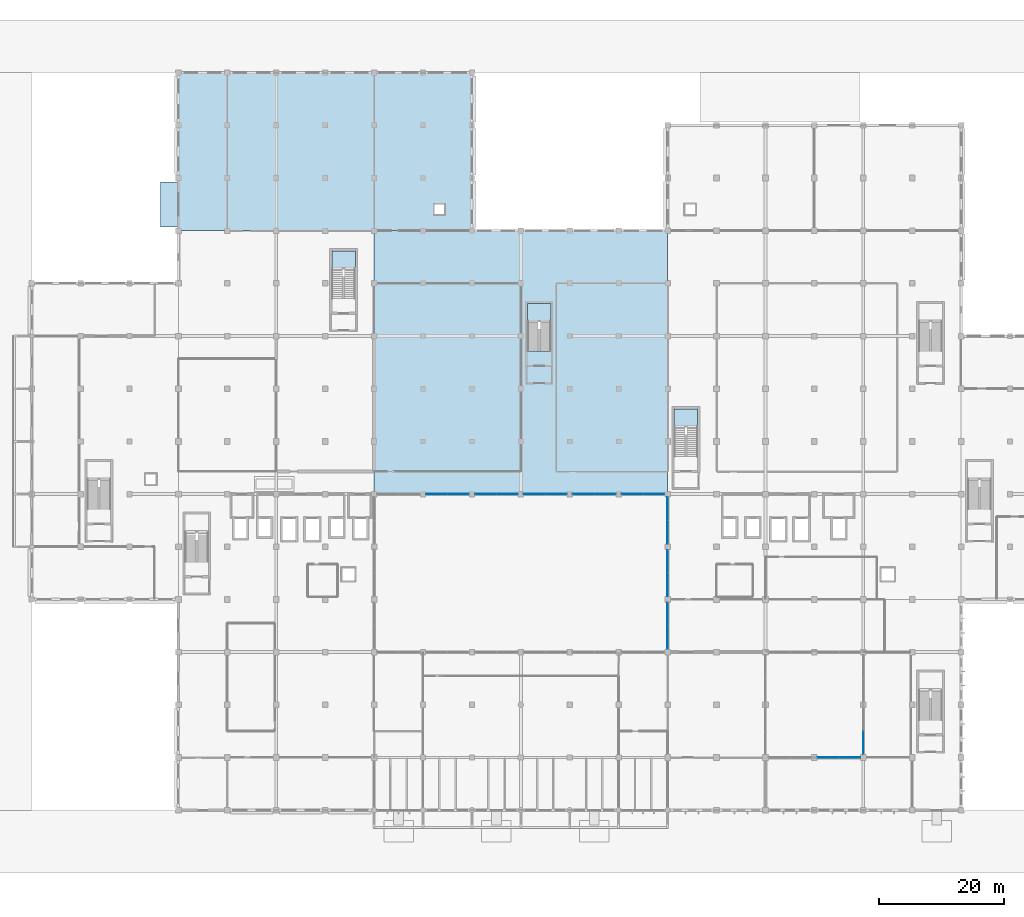
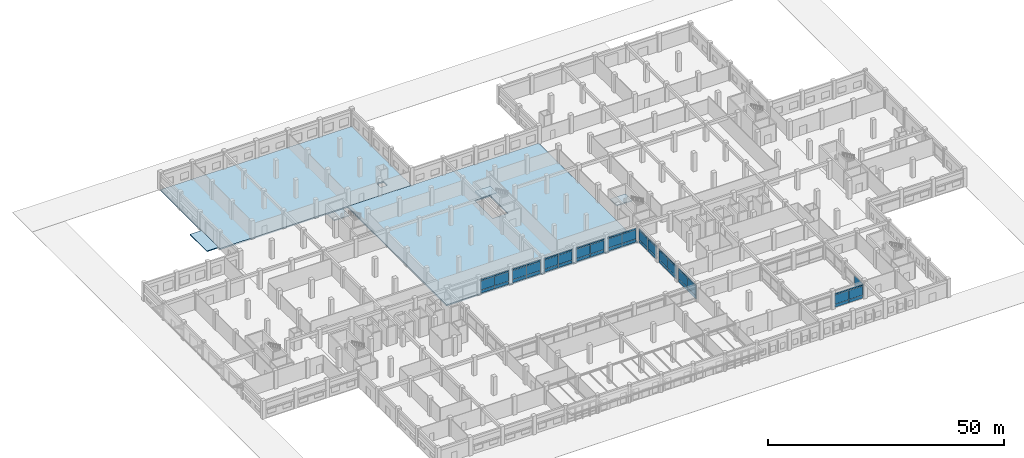
# One storey, part 42 of 74: 56 plates, 6 slabs, 13 elements without a shape of their own.
"""IFC4 building model written with IfcOpenShell, lengths in metres."""

from ifc_helpers import new_model, si_unit, direction, frame, origin, origin_2d, place, context, subcontext, project, spatial, polyline, rectangle, outline, extrude, material, layer, layer_set, type_object, element, aggregate, save


model = new_model("IFC4")

# Units and contexts
model_context = context("Model", 3, precision=1e-05, world=origin(), true_north=direction((0.0, 1.0)))
body_context = subcontext(model_context, "Body", "Model", "MODEL_VIEW")
ifc_project = project(units=[si_unit("LENGTHUNIT", "METRE"), si_unit("AREAUNIT", "SQUARE_METRE"), si_unit("VOLUMEUNIT", "CUBIC_METRE"), si_unit("PLANEANGLEUNIT", "RADIAN"), si_unit("MASSUNIT", "GRAM", prefix="KILO"), si_unit("THERMODYNAMICTEMPERATUREUNIT", "KELVIN"), si_unit("POWERUNIT", "WATT")], contexts=[model_context])

# Site, building, storey
site_placement = place(None, origin())
site = spatial("IfcSite", under=ifc_project, at=site_placement, CompositionType="ELEMENT")
building_placement = place(site_placement, origin())
building = spatial("IfcBuilding", under=site, at=building_placement, Name="Srebrne Nadtorze General Hospital", CompositionType="ELEMENT")
storey_placement = place(building_placement, origin())
storey = spatial("IfcBuildingStorey", under=building, at=storey_placement, Name="L00", CompositionType="ELEMENT", Elevation=0.0)

# Curtain wall, plates
ifc_material_1 = material(Name="Anodised Aluminium", Category="aluminium")
curtain_wall_type_1 = type_object("IfcCurtainWallType", Name="Unitised curtain wall 6900x3750", PredefinedType="NOTDEFINED", material=ifc_material_1)
curtain_wall_1_placement = place(storey_placement, origin())
curtain_wall_1 = element("IfcCurtainWall", 1, at=curtain_wall_1_placement, inside=storey, type_object=curtain_wall_type_1, Name="Curtain wall CW-004", PredefinedType="NOTDEFINED")
ifc_material_2 = material(Name="Triple Low-E Glazing", Category="glass")
ifc_layer_1 = layer(ifc_material_2, 0.050048828125)
ifc_layer_set_1 = layer_set([ifc_layer_1], Name="Triple Low-E Glazing")
plate_type = type_object("IfcPlateType", Name="Glazed curtain panel 50", PredefinedType="CURTAIN_PANEL", material=ifc_layer_set_1)
plate_1_placement = place(storey_placement, frame((126.989990234375, 8.39990234375, 0.06005859375), z_axis=(0.0, 0.0, 1.0), x_axis=(1.0, 0.0, 0.0)))
plate_1 = element("IfcPlate", 2, at=plate_1_placement, type_object=plate_type, Name="CW-004 panel 1.1", PredefinedType="CURTAIN_PANEL", context=body_context, shape_type="SweptSolid", body=[
    extrude(rectangle(XDim=3.360107421875, YDim=0.050048828125, at=origin_2d()), origin(), (0.0, 0.0, 1.0), 0.760009765625),
])
plate_2_placement = place(storey_placement, frame((126.989990234375, 8.39990234375, 0.8798828125), z_axis=(0.0, 0.0, 1.0), x_axis=(1.0, 0.0, 0.0)))
plate_2 = element("IfcPlate", 3, at=plate_2_placement, type_object=plate_type, Name="CW-004 panel 1.2", PredefinedType="CURTAIN_PANEL", context=body_context, shape_type="SweptSolid", body=[
    extrude(rectangle(XDim=3.360107421875, YDim=0.050048828125, at=origin_2d()), origin(), (0.0, 0.0, 1.0), 2.340087890625),
])
plate_3_placement = place(storey_placement, frame((126.989990234375, 8.39990234375, 3.2802734375), z_axis=(0.0, 0.0, 1.0), x_axis=(1.0, 0.0, 0.0)))
plate_3 = element("IfcPlate", 4, at=plate_3_placement, type_object=plate_type, Name="CW-004 panel 1.3", PredefinedType="CURTAIN_PANEL", context=body_context, shape_type="SweptSolid", body=[
    extrude(rectangle(XDim=3.360107421875, YDim=0.050048828125, at=origin_2d()), origin(), (0.0, 0.0, 1.0), 0.409912109375),
])
plate_4_placement = place(storey_placement, frame((130.409912109375, 8.39990234375, 0.06005859375), z_axis=(0.0, 0.0, 1.0), x_axis=(1.0, 0.0, 0.0)))
plate_4 = element("IfcPlate", 5, at=plate_4_placement, type_object=plate_type, Name="CW-004 panel 2.1", PredefinedType="CURTAIN_PANEL", context=body_context, shape_type="SweptSolid", body=[
    extrude(rectangle(XDim=3.360107421875, YDim=0.050048828125, at=origin_2d()), origin(), (0.0, 0.0, 1.0), 0.760009765625),
])
plate_5_placement = place(storey_placement, frame((130.409912109375, 8.39990234375, 0.8798828125), z_axis=(0.0, 0.0, 1.0), x_axis=(1.0, 0.0, 0.0)))
plate_5 = element("IfcPlate", 6, at=plate_5_placement, type_object=plate_type, Name="CW-004 panel 2.2", PredefinedType="CURTAIN_PANEL", context=body_context, shape_type="SweptSolid", body=[
    extrude(rectangle(XDim=3.360107421875, YDim=0.050048828125, at=origin_2d()), origin(), (0.0, 0.0, 1.0), 2.340087890625),
])
plate_6_placement = place(storey_placement, frame((130.409912109375, 8.39990234375, 3.2802734375), z_axis=(0.0, 0.0, 1.0), x_axis=(1.0, 0.0, 0.0)))
plate_6 = element("IfcPlate", 7, at=plate_6_placement, type_object=plate_type, Name="CW-004 panel 2.3", PredefinedType="CURTAIN_PANEL", context=body_context, shape_type="SweptSolid", body=[
    extrude(rectangle(XDim=3.360107421875, YDim=0.050048828125, at=origin_2d()), origin(), (0.0, 0.0, 1.0), 0.409912109375),
])
aggregate(curtain_wall_1, [plate_1, plate_2, plate_3, plate_4, plate_5, plate_6])

ifc_material_3 = material(Name="Anodised Aluminium", Category="aluminium")
curtain_wall_type_2 = type_object("IfcCurtainWallType", Name="Unitised curtain wall 6950x3750", PredefinedType="NOTDEFINED", material=ifc_material_3)
curtain_wall_2_placement = place(storey_placement, origin())
curtain_wall_2 = element("IfcCurtainWall", 8, at=curtain_wall_2_placement, inside=storey, type_object=curtain_wall_type_2, Name="Curtain wall CW-014", PredefinedType="NOTDEFINED")
plate_7_placement = place(storey_placement, frame((64.577392578125, 50.39990234375, 0.06005859375), z_axis=(0.0, 0.0, 1.0), x_axis=(1.0, 0.0, 0.0)))
plate_7 = element("IfcPlate", 9, at=plate_7_placement, type_object=plate_type, Name="CW-014 panel 1.1", PredefinedType="CURTAIN_PANEL", context=body_context, shape_type="SweptSolid", body=[
    extrude(rectangle(XDim=3.385009765625, YDim=0.050048828125, at=origin_2d()), origin(), (0.0, 0.0, 1.0), 0.760009765625),
])
plate_8_placement = place(storey_placement, frame((64.577392578125, 50.39990234375, 0.8798828125), z_axis=(0.0, 0.0, 1.0), x_axis=(1.0, 0.0, 0.0)))
plate_8 = element("IfcPlate", 10, at=plate_8_placement, type_object=plate_type, Name="CW-014 panel 1.2", PredefinedType="CURTAIN_PANEL", context=body_context, shape_type="SweptSolid", body=[
    extrude(rectangle(XDim=3.385009765625, YDim=0.050048828125, at=origin_2d()), origin(), (0.0, 0.0, 1.0), 2.340087890625),
])
plate_9_placement = place(storey_placement, frame((64.577392578125, 50.39990234375, 3.2802734375), z_axis=(0.0, 0.0, 1.0), x_axis=(1.0, 0.0, 0.0)))
plate_9 = element("IfcPlate", 11, at=plate_9_placement, type_object=plate_type, Name="CW-014 panel 1.3", PredefinedType="CURTAIN_PANEL", context=body_context, shape_type="SweptSolid", body=[
    extrude(rectangle(XDim=3.385009765625, YDim=0.050048828125, at=origin_2d()), origin(), (0.0, 0.0, 1.0), 0.409912109375),
])
plate_10_placement = place(storey_placement, frame((68.0224609375, 50.39990234375, 0.06005859375), z_axis=(0.0, 0.0, 1.0), x_axis=(1.0, 0.0, 0.0)))
plate_10 = element("IfcPlate", 12, at=plate_10_placement, type_object=plate_type, Name="CW-014 panel 2.1", PredefinedType="CURTAIN_PANEL", context=body_context, shape_type="SweptSolid", body=[
    extrude(rectangle(XDim=3.385009765625, YDim=0.050048828125, at=origin_2d()), origin(), (0.0, 0.0, 1.0), 0.760009765625),
])
plate_11_placement = place(storey_placement, frame((68.0224609375, 50.39990234375, 0.8798828125), z_axis=(0.0, 0.0, 1.0), x_axis=(1.0, 0.0, 0.0)))
plate_11 = element("IfcPlate", 13, at=plate_11_placement, type_object=plate_type, Name="CW-014 panel 2.2", PredefinedType="CURTAIN_PANEL", context=body_context, shape_type="SweptSolid", body=[
    extrude(rectangle(XDim=3.385009765625, YDim=0.050048828125, at=origin_2d()), origin(), (0.0, 0.0, 1.0), 2.340087890625),
])
plate_12_placement = place(storey_placement, frame((68.0224609375, 50.39990234375, 3.2802734375), z_axis=(0.0, 0.0, 1.0), x_axis=(1.0, 0.0, 0.0)))
plate_12 = element("IfcPlate", 14, at=plate_12_placement, type_object=plate_type, Name="CW-014 panel 2.3", PredefinedType="CURTAIN_PANEL", context=body_context, shape_type="SweptSolid", body=[
    extrude(rectangle(XDim=3.385009765625, YDim=0.050048828125, at=origin_2d()), origin(), (0.0, 0.0, 1.0), 0.409912109375),
])
aggregate(curtain_wall_2, [plate_7, plate_8, plate_9, plate_10, plate_11, plate_12])

curtain_wall_3_placement = place(storey_placement, origin())
curtain_wall_3 = element("IfcCurtainWall", 15, at=curtain_wall_3_placement, inside=storey, type_object=curtain_wall_type_2, Name="Curtain wall CW-015", PredefinedType="NOTDEFINED")
plate_13_placement = place(storey_placement, frame((72.378662109375, 50.39990234375, 0.06494140625), z_axis=(0.0, 0.0, 1.0), x_axis=(1.0, 0.0, 0.0)))
plate_13 = element("IfcPlate", 16, at=plate_13_placement, type_object=plate_type, Name="CW-015 panel 1.1", PredefinedType="CURTAIN_PANEL", context=body_context, shape_type="SweptSolid", body=[
    extrude(rectangle(XDim=3.37744140625, YDim=0.050048828125, at=origin_2d()), origin(), (0.0, 0.0, 1.0), 0.75244140625),
])
plate_14_placement = place(storey_placement, frame((72.378662109375, 50.39990234375, 0.882568359375), z_axis=(0.0, 0.0, 1.0), x_axis=(1.0, 0.0, 0.0)))
plate_14 = element("IfcPlate", 17, at=plate_14_placement, type_object=plate_type, Name="CW-015 panel 1.2", PredefinedType="CURTAIN_PANEL", context=body_context, shape_type="SweptSolid", body=[
    extrude(rectangle(XDim=3.37744140625, YDim=0.050048828125, at=origin_2d()), origin(), (0.0, 0.0, 1.0), 2.3349609375),
])
plate_15_placement = place(storey_placement, frame((72.378662109375, 50.39990234375, 3.2822265625), z_axis=(0.0, 0.0, 1.0), x_axis=(1.0, 0.0, 0.0)))
plate_15 = element("IfcPlate", 18, at=plate_15_placement, type_object=plate_type, Name="CW-015 panel 1.3", PredefinedType="CURTAIN_PANEL", context=body_context, shape_type="SweptSolid", body=[
    extrude(rectangle(XDim=3.37744140625, YDim=0.050048828125, at=origin_2d()), origin(), (0.0, 0.0, 1.0), 0.402587890625),
])
plate_16_placement = place(storey_placement, frame((75.8212890625, 50.39990234375, 0.06494140625), z_axis=(0.0, 0.0, 1.0), x_axis=(1.0, 0.0, 0.0)))
plate_16 = element("IfcPlate", 19, at=plate_16_placement, type_object=plate_type, Name="CW-015 panel 2.1", PredefinedType="CURTAIN_PANEL", context=body_context, shape_type="SweptSolid", body=[
    extrude(rectangle(XDim=3.37744140625, YDim=0.050048828125, at=origin_2d()), origin(), (0.0, 0.0, 1.0), 0.75244140625),
])
plate_17_placement = place(storey_placement, frame((75.8212890625, 50.39990234375, 0.882568359375), z_axis=(0.0, 0.0, 1.0), x_axis=(1.0, 0.0, 0.0)))
plate_17 = element("IfcPlate", 20, at=plate_17_placement, type_object=plate_type, Name="CW-015 panel 2.2", PredefinedType="CURTAIN_PANEL", context=body_context, shape_type="SweptSolid", body=[
    extrude(rectangle(XDim=3.37744140625, YDim=0.050048828125, at=origin_2d()), origin(), (0.0, 0.0, 1.0), 2.3349609375),
])
plate_18_placement = place(storey_placement, frame((75.8212890625, 50.39990234375, 3.2822265625), z_axis=(0.0, 0.0, 1.0), x_axis=(1.0, 0.0, 0.0)))
plate_18 = element("IfcPlate", 21, at=plate_18_placement, type_object=plate_type, Name="CW-015 panel 2.3", PredefinedType="CURTAIN_PANEL", context=body_context, shape_type="SweptSolid", body=[
    extrude(rectangle(XDim=3.37744140625, YDim=0.050048828125, at=origin_2d()), origin(), (0.0, 0.0, 1.0), 0.402587890625),
])
aggregate(curtain_wall_3, [plate_13, plate_14, plate_15, plate_16, plate_17, plate_18])

curtain_wall_4_placement = place(storey_placement, origin())
curtain_wall_4 = element("IfcCurtainWall", 22, at=curtain_wall_4_placement, inside=storey, type_object=curtain_wall_type_2, Name="Curtain wall CW-016", PredefinedType="NOTDEFINED")
plate_19_placement = place(storey_placement, frame((80.177490234375, 50.39990234375, 0.06005859375), z_axis=(0.0, 0.0, 1.0), x_axis=(1.0, 0.0, 0.0)))
plate_19 = element("IfcPlate", 23, at=plate_19_placement, type_object=plate_type, Name="CW-016 panel 1.1", PredefinedType="CURTAIN_PANEL", context=body_context, shape_type="SweptSolid", body=[
    extrude(rectangle(XDim=3.385009765625, YDim=0.050048828125, at=origin_2d()), origin(), (0.0, 0.0, 1.0), 0.760009765625),
])
plate_20_placement = place(storey_placement, frame((80.177490234375, 50.39990234375, 0.8798828125), z_axis=(0.0, 0.0, 1.0), x_axis=(1.0, 0.0, 0.0)))
plate_20 = element("IfcPlate", 24, at=plate_20_placement, type_object=plate_type, Name="CW-016 panel 1.2", PredefinedType="CURTAIN_PANEL", context=body_context, shape_type="SweptSolid", body=[
    extrude(rectangle(XDim=3.385009765625, YDim=0.050048828125, at=origin_2d()), origin(), (0.0, 0.0, 1.0), 2.340087890625),
])
plate_21_placement = place(storey_placement, frame((80.177490234375, 50.39990234375, 3.2802734375), z_axis=(0.0, 0.0, 1.0), x_axis=(1.0, 0.0, 0.0)))
plate_21 = element("IfcPlate", 25, at=plate_21_placement, type_object=plate_type, Name="CW-016 panel 1.3", PredefinedType="CURTAIN_PANEL", context=body_context, shape_type="SweptSolid", body=[
    extrude(rectangle(XDim=3.385009765625, YDim=0.050048828125, at=origin_2d()), origin(), (0.0, 0.0, 1.0), 0.409912109375),
])
plate_22_placement = place(storey_placement, frame((83.62255859375, 50.39990234375, 0.06005859375), z_axis=(0.0, 0.0, 1.0), x_axis=(1.0, 0.0, 0.0)))
plate_22 = element("IfcPlate", 26, at=plate_22_placement, type_object=plate_type, Name="CW-016 panel 2.1", PredefinedType="CURTAIN_PANEL", context=body_context, shape_type="SweptSolid", body=[
    extrude(rectangle(XDim=3.385009765625, YDim=0.050048828125, at=origin_2d()), origin(), (0.0, 0.0, 1.0), 0.760009765625),
])
plate_23_placement = place(storey_placement, frame((83.62255859375, 50.39990234375, 0.8798828125), z_axis=(0.0, 0.0, 1.0), x_axis=(1.0, 0.0, 0.0)))
plate_23 = element("IfcPlate", 27, at=plate_23_placement, type_object=plate_type, Name="CW-016 panel 2.2", PredefinedType="CURTAIN_PANEL", context=body_context, shape_type="SweptSolid", body=[
    extrude(rectangle(XDim=3.385009765625, YDim=0.050048828125, at=origin_2d()), origin(), (0.0, 0.0, 1.0), 2.340087890625),
])
plate_24_placement = place(storey_placement, frame((83.62255859375, 50.39990234375, 3.2802734375), z_axis=(0.0, 0.0, 1.0), x_axis=(1.0, 0.0, 0.0)))
plate_24 = element("IfcPlate", 28, at=plate_24_placement, type_object=plate_type, Name="CW-016 panel 2.3", PredefinedType="CURTAIN_PANEL", context=body_context, shape_type="SweptSolid", body=[
    extrude(rectangle(XDim=3.385009765625, YDim=0.050048828125, at=origin_2d()), origin(), (0.0, 0.0, 1.0), 0.409912109375),
])
aggregate(curtain_wall_4, [plate_19, plate_20, plate_21, plate_22, plate_23, plate_24])

curtain_wall_5_placement = place(storey_placement, origin())
curtain_wall_5 = element("IfcCurtainWall", 29, at=curtain_wall_5_placement, inside=storey, type_object=curtain_wall_type_2, Name="Curtain wall CW-017", PredefinedType="NOTDEFINED")
plate_25_placement = place(storey_placement, frame((87.978759765625, 50.39990234375, 0.06494140625), z_axis=(0.0, 0.0, 1.0), x_axis=(1.0, 0.0, 0.0)))
plate_25 = element("IfcPlate", 30, at=plate_25_placement, type_object=plate_type, Name="CW-017 panel 1.1", PredefinedType="CURTAIN_PANEL", context=body_context, shape_type="SweptSolid", body=[
    extrude(rectangle(XDim=3.37744140625, YDim=0.050048828125, at=origin_2d()), origin(), (0.0, 0.0, 1.0), 0.75244140625),
])
plate_26_placement = place(storey_placement, frame((87.978759765625, 50.39990234375, 0.882568359375), z_axis=(0.0, 0.0, 1.0), x_axis=(1.0, 0.0, 0.0)))
plate_26 = element("IfcPlate", 31, at=plate_26_placement, type_object=plate_type, Name="CW-017 panel 1.2", PredefinedType="CURTAIN_PANEL", context=body_context, shape_type="SweptSolid", body=[
    extrude(rectangle(XDim=3.37744140625, YDim=0.050048828125, at=origin_2d()), origin(), (0.0, 0.0, 1.0), 2.3349609375),
])
plate_27_placement = place(storey_placement, frame((87.978759765625, 50.39990234375, 3.2822265625), z_axis=(0.0, 0.0, 1.0), x_axis=(1.0, 0.0, 0.0)))
plate_27 = element("IfcPlate", 32, at=plate_27_placement, type_object=plate_type, Name="CW-017 panel 1.3", PredefinedType="CURTAIN_PANEL", context=body_context, shape_type="SweptSolid", body=[
    extrude(rectangle(XDim=3.37744140625, YDim=0.050048828125, at=origin_2d()), origin(), (0.0, 0.0, 1.0), 0.402587890625),
])
plate_28_placement = place(storey_placement, frame((91.421142578125, 50.39990234375, 0.06494140625), z_axis=(0.0, 0.0, 1.0), x_axis=(1.0, 0.0, 0.0)))
plate_28 = element("IfcPlate", 33, at=plate_28_placement, type_object=plate_type, Name="CW-017 panel 2.1", PredefinedType="CURTAIN_PANEL", context=body_context, shape_type="SweptSolid", body=[
    extrude(rectangle(XDim=3.37744140625, YDim=0.050048828125, at=origin_2d()), origin(), (0.0, 0.0, 1.0), 0.75244140625),
])
plate_29_placement = place(storey_placement, frame((91.421142578125, 50.39990234375, 0.882568359375), z_axis=(0.0, 0.0, 1.0), x_axis=(1.0, 0.0, 0.0)))
plate_29 = element("IfcPlate", 34, at=plate_29_placement, type_object=plate_type, Name="CW-017 panel 2.2", PredefinedType="CURTAIN_PANEL", context=body_context, shape_type="SweptSolid", body=[
    extrude(rectangle(XDim=3.37744140625, YDim=0.050048828125, at=origin_2d()), origin(), (0.0, 0.0, 1.0), 2.3349609375),
])
plate_30_placement = place(storey_placement, frame((91.421142578125, 50.39990234375, 3.2822265625), z_axis=(0.0, 0.0, 1.0), x_axis=(1.0, 0.0, 0.0)))
plate_30 = element("IfcPlate", 35, at=plate_30_placement, type_object=plate_type, Name="CW-017 panel 2.3", PredefinedType="CURTAIN_PANEL", context=body_context, shape_type="SweptSolid", body=[
    extrude(rectangle(XDim=3.37744140625, YDim=0.050048828125, at=origin_2d()), origin(), (0.0, 0.0, 1.0), 0.402587890625),
])
aggregate(curtain_wall_5, [plate_25, plate_26, plate_27, plate_28, plate_29, plate_30])

ifc_material_4 = material(Name="Anodised Aluminium", Category="aluminium")
curtain_wall_type_3 = type_object("IfcCurtainWallType", Name="Unitised curtain wall 6925x3750", PredefinedType="NOTDEFINED", material=ifc_material_4)
curtain_wall_6_placement = place(storey_placement, origin())
curtain_wall_6 = element("IfcCurtainWall", 36, at=curtain_wall_6_placement, inside=storey, type_object=curtain_wall_type_3, Name="Curtain wall CW-018", PredefinedType="NOTDEFINED")
plate_31_placement = place(storey_placement, frame((95.771240234375, 50.39990234375, 0.06005859375), z_axis=(0.0, 0.0, 1.0), x_axis=(1.0, 0.0, 0.0)))
plate_31 = element("IfcPlate", 37, at=plate_31_placement, type_object=plate_type, Name="CW-018 panel 1.1", PredefinedType="CURTAIN_PANEL", context=body_context, shape_type="SweptSolid", body=[
    extrude(rectangle(XDim=3.37255859375, YDim=0.050048828125, at=origin_2d()), origin(), (0.0, 0.0, 1.0), 0.760009765625),
])
plate_32_placement = place(storey_placement, frame((95.771240234375, 50.39990234375, 0.8798828125), z_axis=(0.0, 0.0, 1.0), x_axis=(1.0, 0.0, 0.0)))
plate_32 = element("IfcPlate", 38, at=plate_32_placement, type_object=plate_type, Name="CW-018 panel 1.2", PredefinedType="CURTAIN_PANEL", context=body_context, shape_type="SweptSolid", body=[
    extrude(rectangle(XDim=3.37255859375, YDim=0.050048828125, at=origin_2d()), origin(), (0.0, 0.0, 1.0), 2.340087890625),
])
plate_33_placement = place(storey_placement, frame((95.771240234375, 50.39990234375, 3.2802734375), z_axis=(0.0, 0.0, 1.0), x_axis=(1.0, 0.0, 0.0)))
plate_33 = element("IfcPlate", 39, at=plate_33_placement, type_object=plate_type, Name="CW-018 panel 1.3", PredefinedType="CURTAIN_PANEL", context=body_context, shape_type="SweptSolid", body=[
    extrude(rectangle(XDim=3.37255859375, YDim=0.050048828125, at=origin_2d()), origin(), (0.0, 0.0, 1.0), 0.409912109375),
])
plate_34_placement = place(storey_placement, frame((99.203857421875, 50.39990234375, 0.06005859375), z_axis=(0.0, 0.0, 1.0), x_axis=(1.0, 0.0, 0.0)))
plate_34 = element("IfcPlate", 40, at=plate_34_placement, type_object=plate_type, Name="CW-018 panel 2.1", PredefinedType="CURTAIN_PANEL", context=body_context, shape_type="SweptSolid", body=[
    extrude(rectangle(XDim=3.37255859375, YDim=0.050048828125, at=origin_2d()), origin(), (0.0, 0.0, 1.0), 0.760009765625),
])
plate_35_placement = place(storey_placement, frame((99.203857421875, 50.39990234375, 0.8798828125), z_axis=(0.0, 0.0, 1.0), x_axis=(1.0, 0.0, 0.0)))
plate_35 = element("IfcPlate", 41, at=plate_35_placement, type_object=plate_type, Name="CW-018 panel 2.2", PredefinedType="CURTAIN_PANEL", context=body_context, shape_type="SweptSolid", body=[
    extrude(rectangle(XDim=3.37255859375, YDim=0.050048828125, at=origin_2d()), origin(), (0.0, 0.0, 1.0), 2.340087890625),
])
plate_36_placement = place(storey_placement, frame((99.203857421875, 50.39990234375, 3.2802734375), z_axis=(0.0, 0.0, 1.0), x_axis=(1.0, 0.0, 0.0)))
plate_36 = element("IfcPlate", 42, at=plate_36_placement, type_object=plate_type, Name="CW-018 panel 2.3", PredefinedType="CURTAIN_PANEL", context=body_context, shape_type="SweptSolid", body=[
    extrude(rectangle(XDim=3.37255859375, YDim=0.050048828125, at=origin_2d()), origin(), (0.0, 0.0, 1.0), 0.409912109375),
])
aggregate(curtain_wall_6, [plate_31, plate_32, plate_33, plate_34, plate_35, plate_36])

ifc_material_5 = material(Name="Anodised Aluminium", Category="aluminium")
curtain_wall_type_4 = type_object("IfcCurtainWallType", Name="Unitised curtain wall 7500x3750", PredefinedType="NOTDEFINED", material=ifc_material_5)
curtain_wall_7_placement = place(storey_placement, origin())
curtain_wall_7 = element("IfcCurtainWall", 43, at=curtain_wall_7_placement, inside=storey, type_object=curtain_wall_type_4, Name="Curtain wall CW-022", PredefinedType="NOTDEFINED")
plate_37_placement = place(storey_placement, frame((101.39990234375, 27.5400390625, 0.06005859375), z_axis=(0.0, 0.0, 1.0), x_axis=(0.0, 1.0, 0.0)))
plate_37 = element("IfcPlate", 44, at=plate_37_placement, type_object=plate_type, Name="CW-022 panel 1.1", PredefinedType="CURTAIN_PANEL", context=body_context, shape_type="SweptSolid", body=[
    extrude(rectangle(XDim=3.659912109375, YDim=0.050048828125, at=origin_2d()), origin(), (0.0, 0.0, 1.0), 0.760009765625),
])
plate_38_placement = place(storey_placement, frame((101.39990234375, 27.5400390625, 0.8798828125), z_axis=(0.0, 0.0, 1.0), x_axis=(0.0, 1.0, 0.0)))
plate_38 = element("IfcPlate", 45, at=plate_38_placement, type_object=plate_type, Name="CW-022 panel 1.2", PredefinedType="CURTAIN_PANEL", context=body_context, shape_type="SweptSolid", body=[
    extrude(rectangle(XDim=3.659912109375, YDim=0.050048828125, at=origin_2d()), origin(), (0.0, 0.0, 1.0), 2.340087890625),
])
plate_39_placement = place(storey_placement, frame((101.39990234375, 27.5400390625, 3.2802734375), z_axis=(0.0, 0.0, 1.0), x_axis=(0.0, 1.0, 0.0)))
plate_39 = element("IfcPlate", 46, at=plate_39_placement, type_object=plate_type, Name="CW-022 panel 1.3", PredefinedType="CURTAIN_PANEL", context=body_context, shape_type="SweptSolid", body=[
    extrude(rectangle(XDim=3.659912109375, YDim=0.050048828125, at=origin_2d()), origin(), (0.0, 0.0, 1.0), 0.409912109375),
])
plate_40_placement = place(storey_placement, frame((101.39990234375, 31.260009765625, 0.06005859375), z_axis=(0.0, 0.0, 1.0), x_axis=(0.0, 1.0, 0.0)))
plate_40 = element("IfcPlate", 47, at=plate_40_placement, type_object=plate_type, Name="CW-022 panel 2.1", PredefinedType="CURTAIN_PANEL", context=body_context, shape_type="SweptSolid", body=[
    extrude(rectangle(XDim=3.659912109375, YDim=0.050048828125, at=origin_2d()), origin(), (0.0, 0.0, 1.0), 0.760009765625),
])
plate_41_placement = place(storey_placement, frame((101.39990234375, 31.260009765625, 0.8798828125), z_axis=(0.0, 0.0, 1.0), x_axis=(0.0, 1.0, 0.0)))
plate_41 = element("IfcPlate", 48, at=plate_41_placement, type_object=plate_type, Name="CW-022 panel 2.2", PredefinedType="CURTAIN_PANEL", context=body_context, shape_type="SweptSolid", body=[
    extrude(rectangle(XDim=3.659912109375, YDim=0.050048828125, at=origin_2d()), origin(), (0.0, 0.0, 1.0), 2.340087890625),
])
plate_42_placement = place(storey_placement, frame((101.39990234375, 31.260009765625, 3.2802734375), z_axis=(0.0, 0.0, 1.0), x_axis=(0.0, 1.0, 0.0)))
plate_42 = element("IfcPlate", 49, at=plate_42_placement, type_object=plate_type, Name="CW-022 panel 2.3", PredefinedType="CURTAIN_PANEL", context=body_context, shape_type="SweptSolid", body=[
    extrude(rectangle(XDim=3.659912109375, YDim=0.050048828125, at=origin_2d()), origin(), (0.0, 0.0, 1.0), 0.409912109375),
])
aggregate(curtain_wall_7, [plate_37, plate_38, plate_39, plate_40, plate_41, plate_42])

curtain_wall_8_placement = place(storey_placement, origin())
curtain_wall_8 = element("IfcCurtainWall", 50, at=curtain_wall_8_placement, inside=storey, type_object=curtain_wall_type_4, Name="Curtain wall CW-023", PredefinedType="NOTDEFINED")
plate_43_placement = place(storey_placement, frame((101.39990234375, 35.941162109375, 0.06494140625), z_axis=(0.0, 0.0, 1.0), x_axis=(0.0, 1.0, 0.0)))
plate_43 = element("IfcPlate", 51, at=plate_43_placement, type_object=plate_type, Name="CW-023 panel 1.1", PredefinedType="CURTAIN_PANEL", context=body_context, shape_type="SweptSolid", body=[
    extrude(rectangle(XDim=3.652587890625, YDim=0.050048828125, at=origin_2d()), origin(), (0.0, 0.0, 1.0), 0.75244140625),
])
plate_44_placement = place(storey_placement, frame((101.39990234375, 35.941162109375, 0.882568359375), z_axis=(0.0, 0.0, 1.0), x_axis=(0.0, 1.0, 0.0)))
plate_44 = element("IfcPlate", 52, at=plate_44_placement, type_object=plate_type, Name="CW-023 panel 1.2", PredefinedType="CURTAIN_PANEL", context=body_context, shape_type="SweptSolid", body=[
    extrude(rectangle(XDim=3.652587890625, YDim=0.050048828125, at=origin_2d()), origin(), (0.0, 0.0, 1.0), 2.3349609375),
])
plate_45_placement = place(storey_placement, frame((101.39990234375, 35.941162109375, 3.2822265625), z_axis=(0.0, 0.0, 1.0), x_axis=(0.0, 1.0, 0.0)))
plate_45 = element("IfcPlate", 53, at=plate_45_placement, type_object=plate_type, Name="CW-023 panel 1.3", PredefinedType="CURTAIN_PANEL", context=body_context, shape_type="SweptSolid", body=[
    extrude(rectangle(XDim=3.652587890625, YDim=0.050048828125, at=origin_2d()), origin(), (0.0, 0.0, 1.0), 0.402587890625),
])
plate_46_placement = place(storey_placement, frame((101.39990234375, 39.65869140625, 0.06494140625), z_axis=(0.0, 0.0, 1.0), x_axis=(0.0, 1.0, 0.0)))
plate_46 = element("IfcPlate", 54, at=plate_46_placement, type_object=plate_type, Name="CW-023 panel 2.1", PredefinedType="CURTAIN_PANEL", context=body_context, shape_type="SweptSolid", body=[
    extrude(rectangle(XDim=3.652587890625, YDim=0.050048828125, at=origin_2d()), origin(), (0.0, 0.0, 1.0), 0.75244140625),
])
plate_47_placement = place(storey_placement, frame((101.39990234375, 39.65869140625, 0.882568359375), z_axis=(0.0, 0.0, 1.0), x_axis=(0.0, 1.0, 0.0)))
plate_47 = element("IfcPlate", 55, at=plate_47_placement, type_object=plate_type, Name="CW-023 panel 2.2", PredefinedType="CURTAIN_PANEL", context=body_context, shape_type="SweptSolid", body=[
    extrude(rectangle(XDim=3.652587890625, YDim=0.050048828125, at=origin_2d()), origin(), (0.0, 0.0, 1.0), 2.3349609375),
])
plate_48_placement = place(storey_placement, frame((101.39990234375, 39.65869140625, 3.2822265625), z_axis=(0.0, 0.0, 1.0), x_axis=(0.0, 1.0, 0.0)))
plate_48 = element("IfcPlate", 56, at=plate_48_placement, type_object=plate_type, Name="CW-023 panel 2.3", PredefinedType="CURTAIN_PANEL", context=body_context, shape_type="SweptSolid", body=[
    extrude(rectangle(XDim=3.652587890625, YDim=0.050048828125, at=origin_2d()), origin(), (0.0, 0.0, 1.0), 0.402587890625),
])
aggregate(curtain_wall_8, [plate_43, plate_44, plate_45, plate_46, plate_47, plate_48])

curtain_wall_9_placement = place(storey_placement, origin())
curtain_wall_9 = element("IfcCurtainWall", 57, at=curtain_wall_9_placement, inside=storey, type_object=curtain_wall_type_4, Name="Curtain wall CW-024", PredefinedType="NOTDEFINED")
plate_49_placement = place(storey_placement, frame((101.39990234375, 44.340087890625, 0.06005859375), z_axis=(0.0, 0.0, 1.0), x_axis=(0.0, 1.0, 0.0)))
plate_49 = element("IfcPlate", 58, at=plate_49_placement, type_object=plate_type, Name="CW-024 panel 1.1", PredefinedType="CURTAIN_PANEL", context=body_context, shape_type="SweptSolid", body=[
    extrude(rectangle(XDim=3.659912109375, YDim=0.050048828125, at=origin_2d()), origin(), (0.0, 0.0, 1.0), 0.760009765625),
])
plate_50_placement = place(storey_placement, frame((101.39990234375, 44.340087890625, 0.8798828125), z_axis=(0.0, 0.0, 1.0), x_axis=(0.0, 1.0, 0.0)))
plate_50 = element("IfcPlate", 59, at=plate_50_placement, type_object=plate_type, Name="CW-024 panel 1.2", PredefinedType="CURTAIN_PANEL", context=body_context, shape_type="SweptSolid", body=[
    extrude(rectangle(XDim=3.659912109375, YDim=0.050048828125, at=origin_2d()), origin(), (0.0, 0.0, 1.0), 2.340087890625),
])
plate_51_placement = place(storey_placement, frame((101.39990234375, 44.340087890625, 3.2802734375), z_axis=(0.0, 0.0, 1.0), x_axis=(0.0, 1.0, 0.0)))
plate_51 = element("IfcPlate", 60, at=plate_51_placement, type_object=plate_type, Name="CW-024 panel 1.3", PredefinedType="CURTAIN_PANEL", context=body_context, shape_type="SweptSolid", body=[
    extrude(rectangle(XDim=3.659912109375, YDim=0.050048828125, at=origin_2d()), origin(), (0.0, 0.0, 1.0), 0.409912109375),
])
plate_52_placement = place(storey_placement, frame((101.39990234375, 48.06005859375, 0.06005859375), z_axis=(0.0, 0.0, 1.0), x_axis=(0.0, 1.0, 0.0)))
plate_52 = element("IfcPlate", 61, at=plate_52_placement, type_object=plate_type, Name="CW-024 panel 2.1", PredefinedType="CURTAIN_PANEL", context=body_context, shape_type="SweptSolid", body=[
    extrude(rectangle(XDim=3.659912109375, YDim=0.050048828125, at=origin_2d()), origin(), (0.0, 0.0, 1.0), 0.760009765625),
])
plate_53_placement = place(storey_placement, frame((101.39990234375, 48.06005859375, 0.8798828125), z_axis=(0.0, 0.0, 1.0), x_axis=(0.0, 1.0, 0.0)))
plate_53 = element("IfcPlate", 62, at=plate_53_placement, type_object=plate_type, Name="CW-024 panel 2.2", PredefinedType="CURTAIN_PANEL", context=body_context, shape_type="SweptSolid", body=[
    extrude(rectangle(XDim=3.659912109375, YDim=0.050048828125, at=origin_2d()), origin(), (0.0, 0.0, 1.0), 2.340087890625),
])
plate_54_placement = place(storey_placement, frame((101.39990234375, 48.06005859375, 3.2802734375), z_axis=(0.0, 0.0, 1.0), x_axis=(0.0, 1.0, 0.0)))
plate_54 = element("IfcPlate", 63, at=plate_54_placement, type_object=plate_type, Name="CW-024 panel 2.3", PredefinedType="CURTAIN_PANEL", context=body_context, shape_type="SweptSolid", body=[
    extrude(rectangle(XDim=3.659912109375, YDim=0.050048828125, at=origin_2d()), origin(), (0.0, 0.0, 1.0), 0.409912109375),
])
aggregate(curtain_wall_9, [plate_49, plate_50, plate_51, plate_52, plate_53, plate_54])

curtain_wall_10_placement = place(storey_placement, origin())
curtain_wall_10 = element("IfcCurtainWall", 64, at=curtain_wall_10_placement, inside=storey, type_object=curtain_wall_type_4, Name="Curtain wall CW-027", PredefinedType="NOTDEFINED")
plate_55_placement = place(storey_placement, frame((132.60009765625, 10.7412109375, 0.06494140625), z_axis=(0.0, 0.0, 1.0), x_axis=(0.0, 1.0, 0.0)))
plate_55 = element("IfcPlate", 65, at=plate_55_placement, type_object=plate_type, Name="CW-027 panel 1.1", PredefinedType="CURTAIN_PANEL", context=body_context, shape_type="SweptSolid", body=[
    extrude(rectangle(XDim=3.652587890625, YDim=0.050048828125, at=origin_2d()), origin(), (0.0, 0.0, 1.0), 0.75244140625),
])
plate_56_placement = place(storey_placement, frame((132.60009765625, 10.7412109375, 0.882568359375), z_axis=(0.0, 0.0, 1.0), x_axis=(0.0, 1.0, 0.0)))
plate_56 = element("IfcPlate", 66, at=plate_56_placement, type_object=plate_type, Name="CW-027 panel 1.2", PredefinedType="CURTAIN_PANEL", context=body_context, shape_type="SweptSolid", body=[
    extrude(rectangle(XDim=3.652587890625, YDim=0.050048828125, at=origin_2d()), origin(), (0.0, 0.0, 1.0), 2.3349609375),
])
aggregate(curtain_wall_10, [plate_55, plate_56])

# Stair, slab
ifc_material_6 = material(Name="Concrete C35/45", Category="concrete")
stair_type = type_object("IfcStairType", Name="Dog-leg escape stair 480", PredefinedType="HALF_TURN_STAIR", material=ifc_material_6)
stair_1_placement = place(storey_placement, origin())
stair_1 = element("IfcStair", 67, at=stair_1_placement, inside=storey, type_object=stair_type, Name="Escape stair ST-02-L00", PredefinedType="HALF_TURN_STAIR")
ifc_material_7 = material(Name="Concrete C35/45", Category="concrete")
ifc_layer_2 = layer(ifc_material_7, 0.219970703125)
ifc_layer_set_2 = layer_set([ifc_layer_2], Name="Concrete C35/45")
slab_type_1 = type_object("IfcSlabType", Name="Stair landing slab 220", PredefinedType="LANDING", material=ifc_layer_set_2)
slab_1_placement = place(storey_placement, frame((0.0, 0.0, 2.179931640625)))
slab_1 = element("IfcSlab", 68, at=slab_1_placement, type_object=slab_type_1, Name="ST-02 landing 1", PredefinedType="LANDING", context=body_context, shape_type="SweptSolid", body=[
    extrude(outline(polyline([(47.85009765625, 86.39990234375), (51.60009765625, 86.39990234375), (51.60009765625, 89.199951171875), (47.85009765625, 89.199951171875), (47.85009765625, 86.39990234375)])), origin(), (0.0, 0.0, 1.0), 0.219970703125),
])
aggregate(stair_1, [slab_1])

stair_2_placement = place(storey_placement, origin())
stair_2 = element("IfcStair", 69, at=stair_2_placement, inside=storey, type_object=stair_type, Name="Escape stair ST-03-L00", PredefinedType="HALF_TURN_STAIR")
slab_2_placement = place(storey_placement, frame((0.0, 0.0, 2.179931640625)))
slab_2 = element("IfcSlab", 70, at=slab_2_placement, type_object=slab_type_1, Name="ST-03 landing 1", PredefinedType="LANDING", context=body_context, shape_type="SweptSolid", body=[
    extrude(outline(polyline([(102.449951171875, 61.199951171875), (106.199951171875, 61.199951171875), (106.199951171875, 64.0), (102.449951171875, 64.0), (102.449951171875, 61.199951171875)])), origin(), (0.0, 0.0, 1.0), 0.219970703125),
])
aggregate(stair_2, [slab_2])

stair_3_placement = place(storey_placement, origin())
stair_3 = element("IfcStair", 71, at=stair_3_placement, inside=storey, type_object=stair_type, Name="Escape stair ST-07-L00", PredefinedType="HALF_TURN_STAIR")
slab_3_placement = place(storey_placement, frame((0.0, 0.0, 2.179931640625)))
slab_3 = element("IfcSlab", 72, at=slab_3_placement, type_object=slab_type_1, Name="ST-07 landing 1", PredefinedType="LANDING", context=body_context, shape_type="SweptSolid", body=[
    extrude(outline(polyline([(79.050048828125, 78.0), (82.800048828125, 78.0), (82.800048828125, 80.800048828125), (79.050048828125, 80.800048828125), (79.050048828125, 78.0)])), origin(), (0.0, 0.0, 1.0), 0.219970703125),
])
aggregate(stair_3, [slab_3])

# Slabs
slab_4_placement = place(storey_placement, frame((0.0, 0.0, -0.219970703125)))
element("IfcSlab", 73, at=slab_4_placement, inside=storey, type_object=slab_type_1, Name="Exterior vehicle driveway apron", PredefinedType="LANDING", context=body_context, shape_type="SweptSolid", body=[
    extrude(outline(polyline([(20.550048828125, 93.0), (23.39990234375, 93.0), (23.39990234375, 100.199951171875), (20.550048828125, 100.199951171875), (20.550048828125, 93.0)])), origin(), (0.0, 0.0, 1.0), 0.219970703125),
])
ifc_material_8 = material(Name="Concrete C35/45", Category="concrete")
ifc_layer_3 = layer(ifc_material_8, 0.35009765625)
ifc_layer_set_3 = layer_set([ifc_layer_3], Name="Concrete C35/45")
slab_type_2 = type_object("IfcSlabType", Name="Suspended floor slab 350", PredefinedType="FLOOR", material=ifc_layer_set_3)
slab_5_placement = place(storey_placement, frame((0.0, 0.0, -0.35009765625)))
element("IfcSlab", 74, at=slab_5_placement, inside=storey, type_object=slab_type_2, Name="Suspended floor slab SL-L00-SURG", PredefinedType="FLOOR", context=body_context, shape_type="SweptSolid", body=[
    extrude(outline(polyline([(54.60009765625, 50.39990234375), (101.39990234375, 50.39990234375), (101.39990234375, 92.39990234375), (54.60009765625, 92.39990234375), (54.60009765625, 50.39990234375)]), holes=[polyline([(79.050048828125, 73.205078125), (79.050048828125, 80.800048828125), (82.800048828125, 80.800048828125), (82.800048828125, 73.205078125), (79.050048828125, 73.205078125)])]), origin(), (0.0, 0.0, 1.0), 0.35009765625),
])
slab_6_placement = place(storey_placement, frame((0.0, 0.0, -0.35009765625)))
element("IfcSlab", 75, at=slab_6_placement, inside=storey, type_object=slab_type_2, Name="Suspended floor slab SL-L00-NWB", PredefinedType="FLOOR", context=body_context, shape_type="SweptSolid", body=[
    extrude(outline(polyline([(70.199951171875, 92.39990234375), (70.199951171875, 117.60009765625), (23.39990234375, 117.60009765625), (23.39990234375, 92.39990234375), (70.199951171875, 92.39990234375)]), holes=[polyline([(65.800048828125, 95.0), (64.199951171875, 95.0), (64.199951171875, 96.60009765625), (65.800048828125, 96.60009765625), (65.800048828125, 95.0)])]), origin(), (0.0, 0.0, 1.0), 0.35009765625),
])

save(model, "model.ifc")
